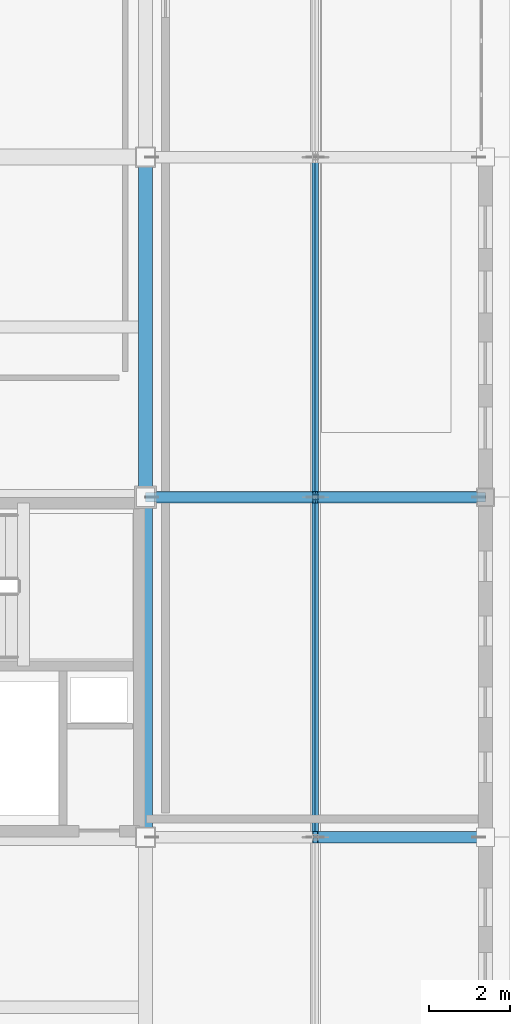
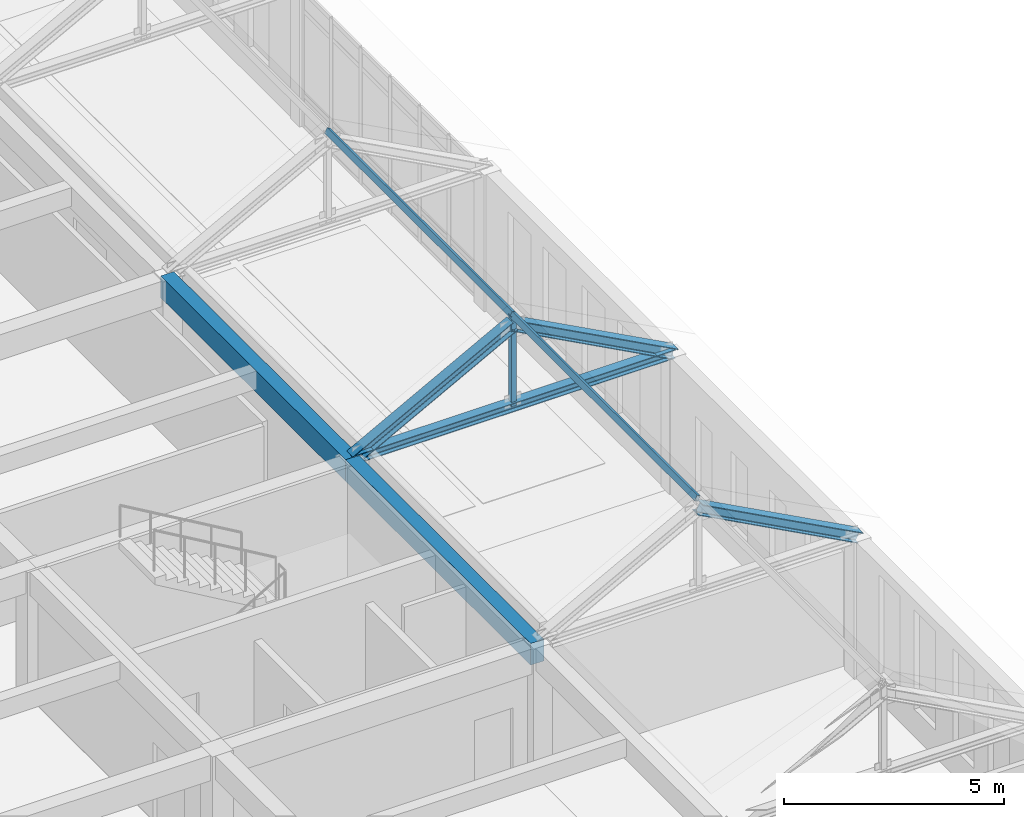
# One storey, part 7 of 36: 7 members, 2 beams.
"""IFC4 building model written with IfcOpenShell, lengths in metres."""

from ifc_helpers import new_model, si_unit, direction, frame, origin, origin_2d, place, context, subcontext, project, spatial, rectangle, hollow_rectangle, i_section, extrude, material, material_profile, profile_set, type_object, element, save


model = new_model("IFC4")

# Units and contexts
model_context = context("Model", 3, precision=1e-05, world=origin(), true_north=direction((0.0, 1.0)))
body_context = subcontext(model_context, "Body", "Model", "MODEL_VIEW")
ifc_project = project(units=[si_unit("LENGTHUNIT", "METRE"), si_unit("AREAUNIT", "SQUARE_METRE"), si_unit("VOLUMEUNIT", "CUBIC_METRE"), si_unit("PLANEANGLEUNIT", "RADIAN"), si_unit("MASSUNIT", "GRAM", prefix="KILO")], contexts=[model_context])

# Site, building, storey
site_placement = place(None, origin())
site = spatial("IfcSite", under=ifc_project, at=site_placement, CompositionType="ELEMENT")
building_placement = place(site_placement, origin())
building = spatial("IfcBuilding", under=site, at=building_placement, Name="Kveldsbrygga Polytechnic", CompositionType="ELEMENT")
storey_placement = place(building_placement, frame((0.0, 0.0, 22.10009765625)))
storey = spatial("IfcBuildingStorey", under=building, at=storey_placement, Name="L05", CompositionType="ELEMENT", Elevation=22.10009765625)

# Beams
ifc_material_1 = material(Name="Concrete C35/45", Category="concrete")
ifc_material_profile_1 = material_profile(ifc_material_1, rectangle(XDim=0.35009765625, YDim=0.60009765625, at=origin_2d()), Name="RC 350x600")
ifc_profile_set_1 = profile_set([ifc_material_profile_1], Name="Concrete C35/45")
beam_type = type_object("IfcBeamType", Name="BM-SPANDREL-600", PredefinedType="T_BEAM", material=ifc_profile_set_1)
for number, where, z_axis, x_axis, name in (
    (1, (159.60009765625, 33.60009765625, 3.47998046875), (0.0, 1.0, 0.0), (-1.0, 0.0, 0.0), "Primary Beam BMY-L05-19-04to05"),
    (2, (159.60009765625, 42.0, 3.47998046875), (0.0, 1.0, 0.0), (-1.0, 0.0, 0.0), "Primary Beam BMY-L05-19-05to06"),
):
    element("IfcBeam", number, at=place(storey_placement, frame(where, z_axis=z_axis, x_axis=x_axis)), inside=storey, type_object=beam_type, Name=name, PredefinedType="T_BEAM", context=body_context, shape_type="SweptSolid", body=[
        extrude(rectangle(XDim=0.35009765625, YDim=0.60009765625, at=origin_2d()), origin(), (0.0, 0.0, 1.0), 8.39990234375),
    ])

# Members
ifc_material_2 = material(Name="Steel S355", Category="steel")
ifc_material_profile_2 = material_profile(ifc_material_2, hollow_rectangle(XDim=0.10009765625, YDim=0.14990234375, WallThickness=0.008056640625, at=origin_2d()), Name="RHS 150x100x8.0")
ifc_profile_set_2 = profile_set([ifc_material_profile_2], Name="Steel S355")
member_type_1 = type_object("IfcMemberType", Name="PRL-RHS150", PredefinedType="PURLIN", material=ifc_profile_set_2)
for number, where, z_axis, x_axis, name in (
    (3, (163.800048828125, 33.60009765625, 6.27392578125), (0.0, 1.0, 0.0), (-0.881479888517, 0.0, 0.472221564671), "Roof Purlin V4E6-PRL-3-1"),
    (4, (163.800048828125, 42.0, 6.27392578125), (0.0, 1.0, 0.0), (-0.881479888517, 0.0, 0.472221564671), "Roof Purlin V4E6-PRL-4-1"),
):
    element("IfcMember", number, at=place(storey_placement, frame(where, z_axis=z_axis, x_axis=x_axis)), inside=storey, type_object=member_type_1, Name=name, PredefinedType="PURLIN", context=body_context, shape_type="SweptSolid", body=[
        extrude(hollow_rectangle(XDim=0.10009765625, YDim=0.14990234375, WallThickness=0.008056640625, at=origin_2d()), origin(), (0.0, 0.0, 1.0), 8.39990234375),
    ])
ifc_material_profile_3 = material_profile(ifc_material_2, i_section(OverallWidth=0.239990234375, OverallDepth=0.239990234375, WebThickness=0.010009765625, FlangeThickness=0.01708984375, FilletRadius=0.02099609375, at=origin_2d()), Name="HEB 240")
ifc_profile_set_3 = profile_set([ifc_material_profile_3], Name="Steel S355")
member_type_2 = type_object("IfcMemberType", Name="TR-BOT-HEB240", PredefinedType="CHORD", material=ifc_profile_set_3)
member_1_placement = place(storey_placement, frame((159.60009765625, 42.0, 3.77978515625), z_axis=(1.0, 0.0, 0.0), x_axis=(0.0, 1.0, 0.0)))
element("IfcMember", 5, at=member_1_placement, inside=storey, type_object=member_type_2, Name="Truss Bottom Chord V4E6-T04-BC-1", PredefinedType="CHORD", context=body_context, shape_type="SweptSolid", body=[
    extrude(i_section(OverallWidth=0.239990234375, OverallDepth=0.239990234375, WebThickness=0.010009765625, FlangeThickness=0.01708984375, FilletRadius=0.02099609375, at=origin_2d()), origin(), (0.0, 0.0, 1.0), 8.39990234375),
])
ifc_material_profile_4 = material_profile(ifc_material_2, hollow_rectangle(XDim=0.139892578125, YDim=0.139892578125, WallThickness=0.008056640625, at=origin_2d()), Name="SHS 140x140x8.0")
ifc_profile_set_4 = profile_set([ifc_material_profile_4], Name="Steel S355")
member_type_3 = type_object("IfcMemberType", Name="TR-POST-SHS140", PredefinedType="STRUT", material=ifc_profile_set_4)
member_2_placement = place(storey_placement, frame((163.800048828125, 42.0, 3.77978515625), z_axis=(0.0, 0.0, 1.0), x_axis=(1.0, 0.0, 0.0)))
element("IfcMember", 6, at=member_2_placement, inside=storey, type_object=member_type_3, Name="Truss Vertical V4E6-T04-VT-1", PredefinedType="STRUT", context=body_context, shape_type="SweptSolid", body=[
    extrude(hollow_rectangle(XDim=0.139892578125, YDim=0.139892578125, WallThickness=0.008056640625, at=origin_2d()), origin(), (0.0, 0.0, 1.0), 2.494140625),
])
ifc_material_profile_5 = material_profile(ifc_material_2, i_section(OverallWidth=0.280029296875, OverallDepth=0.280029296875, WebThickness=0.010498046875, FlangeThickness=0.01806640625, FilletRadius=0.02392578125, at=origin_2d()), Name="HEB 280")
ifc_profile_set_5 = profile_set([ifc_material_profile_5], Name="Steel S355")
member_type_4 = type_object("IfcMemberType", Name="TR-TOP-HEB280", PredefinedType="CHORD", material=ifc_profile_set_5)
for number, where, z_axis, x_axis, name in (
    (7, (163.800048828125, 33.60009765625, 6.02978515625), (0.881477684796, 0.0, -0.472225678258), (0.0, 1.0, 0.0), "Truss Top Chord V4E6-T03-TC-2"),
    (8, (159.60009765625, 42.0, 3.77978515625), (0.881477684796, 0.0, 0.472225678258), (0.0, 1.0, 0.0), "Truss Top Chord V4E6-T04-TC-1"),
    (9, (163.800048828125, 42.0, 6.02978515625), (0.881477684796, 0.0, -0.472225678258), (0.0, 1.0, 0.0), "Truss Top Chord V4E6-T04-TC-2"),
):
    element("IfcMember", number, at=place(storey_placement, frame(where, z_axis=z_axis, x_axis=x_axis)), inside=storey, type_object=member_type_4, Name=name, PredefinedType="CHORD", context=body_context, shape_type="SweptSolid", body=[
        extrude(i_section(OverallWidth=0.280029296875, OverallDepth=0.280029296875, WebThickness=0.010498046875, FlangeThickness=0.01806640625, FilletRadius=0.02392578125, at=origin_2d()), origin(), (0.0, 0.0, 1.0), 4.7646484375),
    ])

save(model, "model.ifc")
